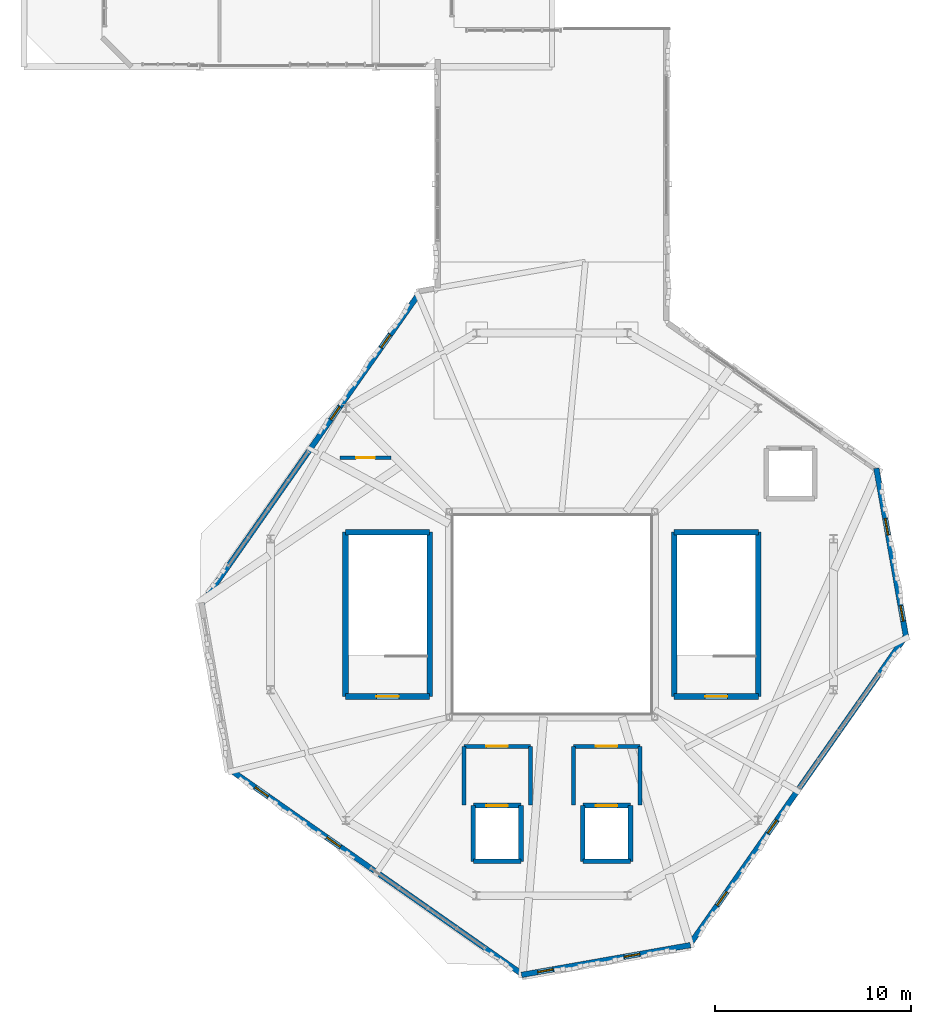
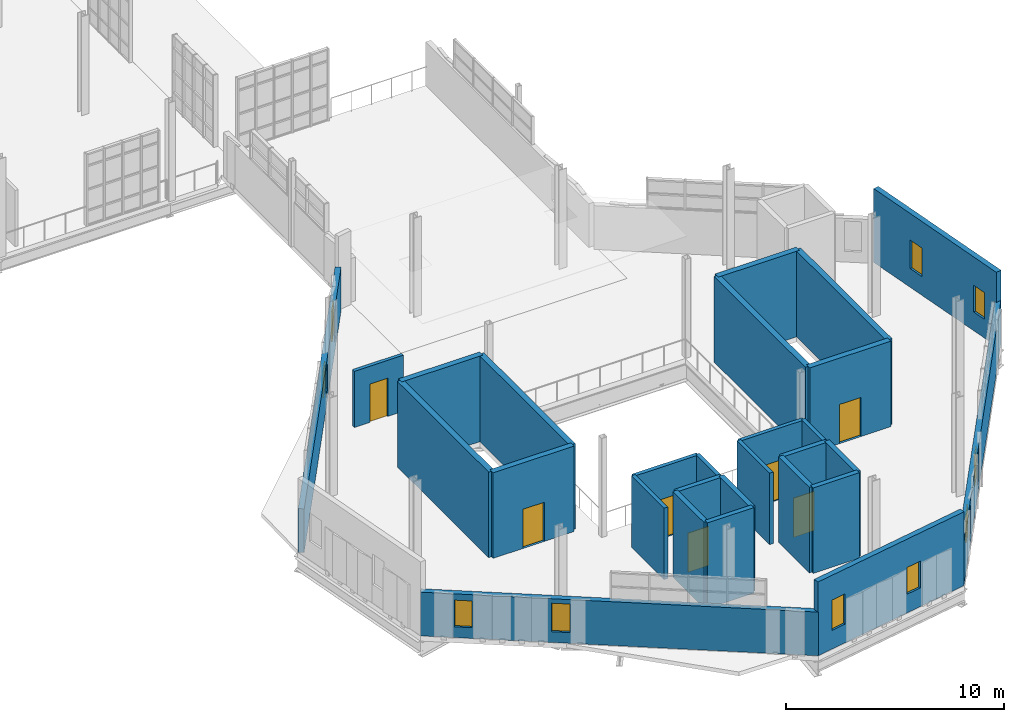
# One storey, part 32 of 36: 28 walls, 10 windows, 7 doors, 17 openings.
"""IFC4 building model written with IfcOpenShell, lengths in metres."""

from ifc_helpers import new_model, si_unit, direction, frame, frame_2d, origin, place, context, subcontext, project, spatial, rectangle, extrude, material, layer, layer_set, type_object, element, fill, save


model = new_model("IFC4")

# Units and contexts
model_context = context("Model", 3, precision=1e-05, world=origin(), true_north=direction((0.0, 1.0)))
body_context = subcontext(model_context, "Body", "Model", "MODEL_VIEW")
ifc_project = project(units=[si_unit("LENGTHUNIT", "METRE"), si_unit("AREAUNIT", "SQUARE_METRE"), si_unit("VOLUMEUNIT", "CUBIC_METRE"), si_unit("PLANEANGLEUNIT", "RADIAN"), si_unit("MASSUNIT", "GRAM", prefix="KILO"), si_unit("THERMODYNAMICTEMPERATUREUNIT", "KELVIN"), si_unit("POWERUNIT", "WATT")], contexts=[model_context])

# Site, building, storey
site_placement = place(None, origin())
site = spatial("IfcSite", under=ifc_project, at=site_placement, CompositionType="ELEMENT")
building_placement = place(site_placement, origin())
building = spatial("IfcBuilding", under=site, at=building_placement, Name="Zelmaris Science Centre", CompositionType="ELEMENT")
storey_placement = place(building_placement, frame((0.0, 0.0, 25.199951171875)))
storey = spatial("IfcBuildingStorey", under=building, at=storey_placement, Name="L05", CompositionType="ELEMENT", Elevation=25.199951171875)

# Wall, opening, door
ifc_material_1 = material(Name="Concrete C40/50", Category="concrete")
ifc_layer_1 = layer(ifc_material_1, 0.300048828125, Name="Concrete C40/50")
ifc_layer_set_1 = layer_set([ifc_layer_1], Name="Concrete C40/50")
wall_type_1 = type_object("IfcWallType", Name="Core Shear Wall CW-S1 300mm", PredefinedType="SOLIDWALL", material=ifc_layer_set_1)
wall_1_placement = place(storey_placement, frame((74.75, 31.800048828125, 0.0), z_axis=(0.0, 0.0, 1.0), x_axis=(-1.0, 0.0, 0.0)))
wall_1 = element("IfcWall", 1, at=wall_1_placement, inside=storey, type_object=wall_type_1, Name="L05 ST-1 core shear wall near", PredefinedType="SOLIDWALL", context=body_context, shape_type="SweptSolid", body=[
    extrude(rectangle(XDim=4.300048828125, YDim=0.300048828125, at=frame_2d((2.14990234375, 0.0))), origin(), (0.0, 0.0, 1.0), 4.800048828125),
])
opening_1_placement = place(wall_1_placement, frame((1.574951171875, 0.0, 0.0)))
opening_1 = element("IfcOpeningElement", 2, at=opening_1_placement, cuts=wall_1, Name="Opening D-FD90", PredefinedType="OPENING", context=body_context, shape_type="SweptSolid", body=[
    extrude(rectangle(XDim=1.14990234375, YDim=2.199951171875, at=frame_2d((0.574951171875, 1.10009765625))), frame((0.0, 0.159912109375, 0.0), z_axis=(0.0, -1.0, 0.0), x_axis=(1.0, 0.0, 0.0)), (0.0, 0.0, 1.0), 0.320068359375),
])
ifc_material_2 = material(Name="Steel ASTM A36", Category="steel")
door_type_1 = type_object("IfcDoorType", Name="Interior Door D-FD90 1150x2200", OperationType="NOTDEFINED", PredefinedType="DOOR", material=ifc_material_2)
door_1_placement = place(opening_1_placement, origin())
door_1 = element("IfcDoor", 3, at=door_1_placement, inside=storey, type_object=door_type_1, Name="L05 ST-1 exit stair fire door", OperationType="SINGLE_SWING_LEFT", OverallHeight=2.199951171875, OverallWidth=1.14990234375, PredefinedType="DOOR", context=body_context, shape_type="SweptSolid", body=[
    extrude(rectangle(XDim=1.14990234375, YDim=2.199951171875, at=frame_2d((0.574951171875, 1.10009765625))), frame((0.0, 0.02490234375, 0.0), z_axis=(0.0, -1.0, 0.0), x_axis=(1.0, 0.0, 0.0)), (0.0, 0.0, 1.0), 0.050048828125),
])
fill(opening_1, door_1)

# Walls
wall_2_placement = place(storey_placement, frame((74.75, 31.800048828125, 0.0), z_axis=(0.0, 0.0, 1.0), x_axis=(0.0, 1.0, 0.0)))
element("IfcWall", 4, at=wall_2_placement, inside=storey, type_object=wall_type_1, Name="L05 ST-1 core shear wall east", PredefinedType="SOLIDWALL", context=body_context, shape_type="SweptSolid", body=[
    extrude(rectangle(XDim=8.39990234375, YDim=0.300048828125, at=frame_2d((4.199951171875, 0.0))), origin(), (0.0, 0.0, 1.0), 4.800048828125),
])
wall_3_placement = place(storey_placement, frame((74.75, 40.199951171875, 0.0), z_axis=(0.0, 0.0, 1.0), x_axis=(-1.0, 0.0, 0.0)))
element("IfcWall", 5, at=wall_3_placement, inside=storey, type_object=wall_type_1, Name="L05 ST-1 core shear wall far", PredefinedType="SOLIDWALL", context=body_context, shape_type="SweptSolid", body=[
    extrude(rectangle(XDim=4.300048828125, YDim=0.300048828125, at=frame_2d((2.14990234375, 0.0))), origin(), (0.0, 0.0, 1.0), 4.800048828125),
])
wall_4_placement = place(storey_placement, frame((70.449951171875, 31.800048828125, 0.0), z_axis=(0.0, 0.0, 1.0), x_axis=(0.0, 1.0, 0.0)))
element("IfcWall", 6, at=wall_4_placement, inside=storey, type_object=wall_type_1, Name="L05 ST-1 core shear wall west", PredefinedType="SOLIDWALL", context=body_context, shape_type="SweptSolid", body=[
    extrude(rectangle(XDim=8.39990234375, YDim=0.300048828125, at=frame_2d((4.199951171875, 0.0))), origin(), (0.0, 0.0, 1.0), 4.800048828125),
])

# Wall, opening, door
wall_5_placement = place(storey_placement, frame((91.550048828125, 31.800048828125, 0.0), z_axis=(0.0, 0.0, 1.0), x_axis=(-1.0, 0.0, 0.0)))
wall_5 = element("IfcWall", 7, at=wall_5_placement, inside=storey, type_object=wall_type_1, Name="L05 ST-2 core shear wall near", PredefinedType="SOLIDWALL", context=body_context, shape_type="SweptSolid", body=[
    extrude(rectangle(XDim=4.300048828125, YDim=0.300048828125, at=frame_2d((2.14990234375, 0.0))), origin(), (0.0, 0.0, 1.0), 4.800048828125),
])
opening_2_placement = place(wall_5_placement, frame((1.574951171875, 0.0, 0.0)))
opening_2 = element("IfcOpeningElement", 8, at=opening_2_placement, cuts=wall_5, Name="Opening D-FD90", PredefinedType="OPENING", context=body_context, shape_type="SweptSolid", body=[
    extrude(rectangle(XDim=1.14990234375, YDim=2.199951171875, at=frame_2d((0.574951171875, 1.10009765625))), frame((0.0, 0.159912109375, 0.0), z_axis=(0.0, -1.0, 0.0), x_axis=(1.0, 0.0, 0.0)), (0.0, 0.0, 1.0), 0.320068359375),
])
door_2_placement = place(opening_2_placement, origin())
door_2 = element("IfcDoor", 9, at=door_2_placement, inside=storey, type_object=door_type_1, Name="L05 ST-2 exit stair fire door", OperationType="SINGLE_SWING_RIGHT", OverallHeight=2.199951171875, OverallWidth=1.14990234375, PredefinedType="DOOR", context=body_context, shape_type="SweptSolid", body=[
    extrude(rectangle(XDim=1.14990234375, YDim=2.199951171875, at=frame_2d((0.574951171875, 1.10009765625))), frame((0.0, 0.02490234375, 0.0), z_axis=(0.0, -1.0, 0.0), x_axis=(1.0, 0.0, 0.0)), (0.0, 0.0, 1.0), 0.050048828125),
])
fill(opening_2, door_2)

# Walls
wall_6_placement = place(storey_placement, frame((91.550048828125, 31.800048828125, 0.0), z_axis=(0.0, 0.0, 1.0), x_axis=(0.0, 1.0, 0.0)))
element("IfcWall", 10, at=wall_6_placement, inside=storey, type_object=wall_type_1, Name="L05 ST-2 core shear wall east", PredefinedType="SOLIDWALL", context=body_context, shape_type="SweptSolid", body=[
    extrude(rectangle(XDim=8.39990234375, YDim=0.300048828125, at=frame_2d((4.199951171875, 0.0))), origin(), (0.0, 0.0, 1.0), 4.800048828125),
])
wall_7_placement = place(storey_placement, frame((91.550048828125, 40.199951171875, 0.0), z_axis=(0.0, 0.0, 1.0), x_axis=(-1.0, 0.0, 0.0)))
element("IfcWall", 11, at=wall_7_placement, inside=storey, type_object=wall_type_1, Name="L05 ST-2 core shear wall far", PredefinedType="SOLIDWALL", context=body_context, shape_type="SweptSolid", body=[
    extrude(rectangle(XDim=4.300048828125, YDim=0.300048828125, at=frame_2d((2.14990234375, 0.0))), origin(), (0.0, 0.0, 1.0), 4.800048828125),
])
wall_8_placement = place(storey_placement, frame((87.25, 31.800048828125, 0.0), z_axis=(0.0, 0.0, 1.0), x_axis=(0.0, 1.0, 0.0)))
element("IfcWall", 12, at=wall_8_placement, inside=storey, type_object=wall_type_1, Name="L05 ST-2 core shear wall west", PredefinedType="SOLIDWALL", context=body_context, shape_type="SweptSolid", body=[
    extrude(rectangle(XDim=8.39990234375, YDim=0.300048828125, at=frame_2d((4.199951171875, 0.0))), origin(), (0.0, 0.0, 1.0), 4.800048828125),
])
ifc_layer_2 = layer(ifc_material_1, 0.25, Name="Concrete C40/50")
ifc_layer_set_2 = layer_set([ifc_layer_2], Name="Concrete C40/50")
wall_type_2 = type_object("IfcWallType", Name="Core Shear Wall CW-S2 250mm", PredefinedType="SOLIDWALL", material=ifc_layer_set_2)
wall_9_placement = place(storey_placement, frame((76.97509765625, 23.375, 0.0), z_axis=(0.0, 0.0, 1.0), x_axis=(1.0, 0.0, 0.0)))
element("IfcWall", 13, at=wall_9_placement, inside=storey, type_object=wall_type_2, Name="L05 FL-01 lift shaft wall -y", PredefinedType="SOLIDWALL", context=body_context, shape_type="SweptSolid", body=[
    extrude(rectangle(XDim=2.449951171875, YDim=0.25, at=frame_2d((1.22509765625, 0.0))), origin(), (0.0, 0.0, 1.0), 4.800048828125),
])
wall_10_placement = place(storey_placement, frame((79.425048828125, 23.375, 0.0), z_axis=(0.0, 0.0, 1.0), x_axis=(0.0, 1.0, 0.0)))
element("IfcWall", 14, at=wall_10_placement, inside=storey, type_object=wall_type_2, Name="L05 FL-01 lift shaft wall +x", PredefinedType="SOLIDWALL", context=body_context, shape_type="SweptSolid", body=[
    extrude(rectangle(XDim=2.85009765625, YDim=0.25, at=frame_2d((1.425048828125, 0.0))), origin(), (0.0, 0.0, 1.0), 4.800048828125),
])

# Wall, opening, door
wall_11_placement = place(storey_placement, frame((79.425048828125, 26.22509765625, 0.0), z_axis=(0.0, 0.0, 1.0), x_axis=(-1.0, 0.0, 0.0)))
wall_11 = element("IfcWall", 15, at=wall_11_placement, inside=storey, type_object=wall_type_2, Name="L05 FL-01 lift shaft wall +y", PredefinedType="SOLIDWALL", context=body_context, shape_type="SweptSolid", body=[
    extrude(rectangle(XDim=2.449951171875, YDim=0.25, at=frame_2d((1.22509765625, 0.0))), origin(), (0.0, 0.0, 1.0), 4.800048828125),
])
opening_3_placement = place(wall_11_placement, frame((0.675048828125, 0.0, 0.0)))
opening_3 = element("IfcOpeningElement", 16, at=opening_3_placement, cuts=wall_11, Name="Opening LD-01", PredefinedType="OPENING", context=body_context, shape_type="SweptSolid", body=[
    extrude(rectangle(XDim=1.10009765625, YDim=2.199951171875, at=frame_2d((0.550048828125, 1.10009765625))), frame((0.0, 0.135009765625, 0.0), z_axis=(0.0, -1.0, 0.0), x_axis=(1.0, 0.0, 0.0)), (0.0, 0.0, 1.0), 0.27001953125),
])
door_type_2 = type_object("IfcDoorType", Name="Interior Door LD-01 1100x2200", OperationType="SLIDING_TO_LEFT", PredefinedType="DOOR", material=ifc_material_2)
door_3_placement = place(opening_3_placement, origin())
door_3 = element("IfcDoor", 17, at=door_3_placement, inside=storey, type_object=door_type_2, Name="Landing door LD-FL-01-L05", OperationType="SLIDING_TO_LEFT", OverallHeight=2.199951171875, OverallWidth=1.10009765625, PredefinedType="DOOR", context=body_context, shape_type="SweptSolid", body=[
    extrude(rectangle(XDim=1.10009765625, YDim=2.199951171875, at=frame_2d((0.550048828125, 1.10009765625))), frame((0.0, 0.02490234375, 0.0), z_axis=(0.0, -1.0, 0.0), x_axis=(1.0, 0.0, 0.0)), (0.0, 0.0, 1.0), 0.050048828125),
])
fill(opening_3, door_3)

# Walls
wall_12_placement = place(storey_placement, frame((76.97509765625, 26.22509765625, 0.0), z_axis=(0.0, 0.0, 1.0), x_axis=(0.0, -1.0, 0.0)))
element("IfcWall", 18, at=wall_12_placement, inside=storey, type_object=wall_type_2, Name="L05 FL-01 lift shaft wall -x", PredefinedType="SOLIDWALL", context=body_context, shape_type="SweptSolid", body=[
    extrude(rectangle(XDim=2.85009765625, YDim=0.25, at=frame_2d((1.425048828125, 0.0))), origin(), (0.0, 0.0, 1.0), 4.800048828125),
])
wall_13_placement = place(storey_placement, frame((82.574951171875, 23.375, 0.0), z_axis=(0.0, 0.0, 1.0), x_axis=(1.0, 0.0, 0.0)))
element("IfcWall", 19, at=wall_13_placement, inside=storey, type_object=wall_type_2, Name="L05 FL-02 lift shaft wall -y", PredefinedType="SOLIDWALL", context=body_context, shape_type="SweptSolid", body=[
    extrude(rectangle(XDim=2.449951171875, YDim=0.25, at=frame_2d((1.22509765625, 0.0))), origin(), (0.0, 0.0, 1.0), 4.800048828125),
])
wall_14_placement = place(storey_placement, frame((85.02490234375, 23.375, 0.0), z_axis=(0.0, 0.0, 1.0), x_axis=(0.0, 1.0, 0.0)))
element("IfcWall", 20, at=wall_14_placement, inside=storey, type_object=wall_type_2, Name="L05 FL-02 lift shaft wall +x", PredefinedType="SOLIDWALL", context=body_context, shape_type="SweptSolid", body=[
    extrude(rectangle(XDim=2.85009765625, YDim=0.25, at=frame_2d((1.425048828125, 0.0))), origin(), (0.0, 0.0, 1.0), 4.800048828125),
])

# Wall, opening, door
wall_15_placement = place(storey_placement, frame((85.02490234375, 26.22509765625, 0.0), z_axis=(0.0, 0.0, 1.0), x_axis=(-1.0, 0.0, 0.0)))
wall_15 = element("IfcWall", 21, at=wall_15_placement, inside=storey, type_object=wall_type_2, Name="L05 FL-02 lift shaft wall +y", PredefinedType="SOLIDWALL", context=body_context, shape_type="SweptSolid", body=[
    extrude(rectangle(XDim=2.449951171875, YDim=0.25, at=frame_2d((1.22509765625, 0.0))), origin(), (0.0, 0.0, 1.0), 4.800048828125),
])
opening_4_placement = place(wall_15_placement, frame((0.675048828125, 0.0, 0.0)))
opening_4 = element("IfcOpeningElement", 22, at=opening_4_placement, cuts=wall_15, Name="Opening LD-01", PredefinedType="OPENING", context=body_context, shape_type="SweptSolid", body=[
    extrude(rectangle(XDim=1.10009765625, YDim=2.199951171875, at=frame_2d((0.550048828125, 1.10009765625))), frame((0.0, 0.135009765625, 0.0), z_axis=(0.0, -1.0, 0.0), x_axis=(1.0, 0.0, 0.0)), (0.0, 0.0, 1.0), 0.27001953125),
])
door_4_placement = place(opening_4_placement, origin())
door_4 = element("IfcDoor", 23, at=door_4_placement, inside=storey, type_object=door_type_2, Name="Landing door LD-FL-02-L05", OperationType="SLIDING_TO_LEFT", OverallHeight=2.199951171875, OverallWidth=1.10009765625, PredefinedType="DOOR", context=body_context, shape_type="SweptSolid", body=[
    extrude(rectangle(XDim=1.10009765625, YDim=2.199951171875, at=frame_2d((0.550048828125, 1.10009765625))), frame((0.0, 0.02490234375, 0.0), z_axis=(0.0, -1.0, 0.0), x_axis=(1.0, 0.0, 0.0)), (0.0, 0.0, 1.0), 0.050048828125),
])
fill(opening_4, door_4)

# Wall
wall_16_placement = place(storey_placement, frame((82.574951171875, 26.22509765625, 0.0), z_axis=(0.0, 0.0, 1.0), x_axis=(0.0, -1.0, 0.0)))
element("IfcWall", 24, at=wall_16_placement, inside=storey, type_object=wall_type_2, Name="L05 FL-02 lift shaft wall -x", PredefinedType="SOLIDWALL", context=body_context, shape_type="SweptSolid", body=[
    extrude(rectangle(XDim=2.85009765625, YDim=0.25, at=frame_2d((1.425048828125, 0.0))), origin(), (0.0, 0.0, 1.0), 4.800048828125),
])

# Wall, openings, windows
ifc_material_3 = material(Name="Precast concrete C40/50", Category="concrete")
ifc_layer_3 = layer(ifc_material_3, 0.280029296875, Name="Precast concrete C40/50")
ifc_layer_set_3 = layer_set([ifc_layer_3], Name="Precast concrete C40/50")
wall_type_3 = type_object("IfcWallType", Name="Exterior Wall EW-05 280mm", PredefinedType="SOLIDWALL", material=ifc_layer_set_3)
wall_17_placement = place(storey_placement, frame((97.585205078125, 43.46923828125, 0.0), z_axis=(0.0, 0.0, 1.0), x_axis=(0.173639194339, -0.984809336973, 0.0)))
wall_17 = element("IfcWall", 25, at=wall_17_placement, inside=storey, type_object=wall_type_3, Name="L05 Exterior wall 156", PredefinedType="SOLIDWALL", context=body_context, shape_type="SweptSolid", body=[
    extrude(rectangle(XDim=8.76806640625, YDim=0.280029296875, at=frame_2d((4.384033203125, 0.0))), origin(), (0.0, 0.0, 1.0), 4.14013671875),
])
opening_5_placement = place(wall_17_placement, frame((2.60888671875, 0.0, 1.050048828125)))
opening_5 = element("IfcOpeningElement", 26, at=opening_5_placement, cuts=wall_17, Name="Opening W-TR3", PredefinedType="OPENING", context=body_context, shape_type="SweptSolid", body=[
    extrude(rectangle(XDim=0.85009765625, YDim=1.60009765625, at=frame_2d((0.425048828125, 0.800048828125))), frame((0.0, 0.14990234375, 0.0), z_axis=(0.0, -1.0, 0.0), x_axis=(1.0, 0.0, 0.0)), (0.0, 0.0, 1.0), 0.300048828125),
])
opening_6_placement = place(wall_17_placement, frame((7.134033203125, 0.0, 1.050048828125)))
opening_6 = element("IfcOpeningElement", 27, at=opening_6_placement, cuts=wall_17, Name="Opening W-TR1", PredefinedType="OPENING", context=body_context, shape_type="SweptSolid", body=[
    extrude(rectangle(XDim=0.800048828125, YDim=1.5, at=frame_2d((0.39990234375, 0.75))), frame((0.0, 0.14990234375, 0.0), z_axis=(0.0, -1.0, 0.0), x_axis=(1.0, 0.0, 0.0)), (0.0, 0.0, 1.0), 0.300048828125),
])
ifc_material_4 = material(Name="Laminated hurricane-rated low-E insulated glazing", Category="glass")
window_type_1 = type_object("IfcWindowType", Name="Window W-TR1 800x1500", PartitioningType="SINGLE_PANEL", PredefinedType="WINDOW", material=ifc_material_4)
window_1_placement = place(opening_6_placement, origin())
window_1 = element("IfcWindow", 28, at=window_1_placement, inside=storey, type_object=window_type_1, Name="L05 Triangular faceted window 109", OverallHeight=1.5, OverallWidth=0.800048828125, PartitioningType="SINGLE_PANEL", PredefinedType="WINDOW", context=body_context, shape_type="SweptSolid", body=[
    extrude(rectangle(XDim=0.800048828125, YDim=1.5, at=frame_2d((0.39990234375, 0.75))), frame((0.0, 0.030029296875, 0.0), z_axis=(0.0, -1.0, 0.0), x_axis=(1.0, 0.0, 0.0)), (0.0, 0.0, 1.0), 0.06005859375),
])
fill(opening_6, window_1)
window_type_2 = type_object("IfcWindowType", Name="Window W-TR3 850x1600", PartitioningType="SINGLE_PANEL", PredefinedType="WINDOW", material=ifc_material_4)
window_2_placement = place(opening_5_placement, origin())
window_2 = element("IfcWindow", 29, at=window_2_placement, inside=storey, type_object=window_type_2, Name="L05 Triangular faceted window 108", OverallHeight=1.60009765625, OverallWidth=0.85009765625, PartitioningType="SINGLE_PANEL", PredefinedType="WINDOW", context=body_context, shape_type="SweptSolid", body=[
    extrude(rectangle(XDim=0.85009765625, YDim=1.60009765625, at=frame_2d((0.425048828125, 0.800048828125))), frame((0.0, 0.030029296875, 0.0), z_axis=(0.0, -1.0, 0.0), x_axis=(1.0, 0.0, 0.0)), (0.0, 0.0, 1.0), 0.06005859375),
])
fill(opening_5, window_2)

wall_18_placement = place(storey_placement, frame((99.134033203125, 34.9541015625, 0.0), z_axis=(0.0, 0.0, 1.0), x_axis=(-0.573571854902, -0.819155252235, 0.0)))
wall_18 = element("IfcWall", 30, at=wall_18_placement, inside=storey, type_object=wall_type_3, Name="L05 Exterior wall 157", PredefinedType="SOLIDWALL", context=body_context, shape_type="SweptSolid", body=[
    extrude(rectangle(XDim=19.449951171875, YDim=0.280029296875, at=frame_2d((9.72509765625, 0.0))), origin(), (0.0, 0.0, 1.0), 2.449951171875),
])
opening_7_placement = place(wall_18_placement, frame((11.574951171875, 0.0, 0.60009765625)))
opening_7 = element("IfcOpeningElement", 31, at=opening_7_placement, cuts=wall_18, Name="Opening W-TR2", PredefinedType="OPENING", context=body_context, shape_type="SweptSolid", body=[
    extrude(rectangle(XDim=0.800048828125, YDim=1.699951171875, at=frame_2d((0.39990234375, 0.85009765625))), frame((0.0, 0.14990234375, 0.0), z_axis=(0.0, -1.0, 0.0), x_axis=(1.0, 0.0, 0.0)), (0.0, 0.0, 1.0), 0.300048828125),
])
opening_8_placement = place(wall_18_placement, frame((16.0498046875, 0.0, 0.60009765625)))
opening_8 = element("IfcOpeningElement", 32, at=opening_8_placement, cuts=wall_18, Name="Opening W-TR3", PredefinedType="OPENING", context=body_context, shape_type="SweptSolid", body=[
    extrude(rectangle(XDim=0.85009765625, YDim=1.60009765625, at=frame_2d((0.425048828125, 0.800048828125))), frame((0.0, 0.14990234375, 0.0), z_axis=(0.0, -1.0, 0.0), x_axis=(1.0, 0.0, 0.0)), (0.0, 0.0, 1.0), 0.300048828125),
])
window_type_3 = type_object("IfcWindowType", Name="Window W-TR2 800x1700", PartitioningType="SINGLE_PANEL", PredefinedType="WINDOW", material=ifc_material_4)
window_3_placement = place(opening_7_placement, origin())
window_3 = element("IfcWindow", 33, at=window_3_placement, inside=storey, type_object=window_type_3, Name="L05 Triangular faceted window 110", OverallHeight=1.699951171875, OverallWidth=0.800048828125, PartitioningType="SINGLE_PANEL", PredefinedType="WINDOW", context=body_context, shape_type="SweptSolid", body=[
    extrude(rectangle(XDim=0.800048828125, YDim=1.699951171875, at=frame_2d((0.39990234375, 0.85009765625))), frame((0.0, 0.030029296875, 0.0), z_axis=(0.0, -1.0, 0.0), x_axis=(1.0, 0.0, 0.0)), (0.0, 0.0, 1.0), 0.06005859375),
])
fill(opening_7, window_3)
window_4_placement = place(opening_8_placement, origin())
window_4 = element("IfcWindow", 34, at=window_4_placement, inside=storey, type_object=window_type_2, Name="L05 Triangular faceted window 111", OverallHeight=1.60009765625, OverallWidth=0.85009765625, PartitioningType="SINGLE_PANEL", PredefinedType="WINDOW", context=body_context, shape_type="SweptSolid", body=[
    extrude(rectangle(XDim=0.85009765625, YDim=1.60009765625, at=frame_2d((0.425048828125, 0.800048828125))), frame((0.0, 0.030029296875, 0.0), z_axis=(0.0, -1.0, 0.0), x_axis=(1.0, 0.0, 0.0)), (0.0, 0.0, 1.0), 0.06005859375),
])
fill(opening_8, window_4)

wall_19_placement = place(storey_placement, frame((88.081298828125, 19.08740234375, 0.0), z_axis=(0.0, 0.0, 1.0), x_axis=(-0.98480457515, -0.173666199254, 0.0)))
wall_19 = element("IfcWall", 35, at=wall_19_placement, inside=storey, type_object=wall_type_3, Name="L05 Exterior wall 158", PredefinedType="SOLIDWALL", context=body_context, shape_type="SweptSolid", body=[
    extrude(rectangle(XDim=8.76806640625, YDim=0.280029296875, at=frame_2d((4.384033203125, 0.0))), origin(), (0.0, 0.0, 1.0), 4.14013671875),
])
opening_9_placement = place(wall_19_placement, frame((2.634033203125, 0.0, 1.050048828125)))
opening_9 = element("IfcOpeningElement", 36, at=opening_9_placement, cuts=wall_19, Name="Opening W-TR1", PredefinedType="OPENING", context=body_context, shape_type="SweptSolid", body=[
    extrude(rectangle(XDim=0.800048828125, YDim=1.5, at=frame_2d((0.39990234375, 0.75))), frame((0.0, 0.14990234375, 0.0), z_axis=(0.0, -1.0, 0.0), x_axis=(1.0, 0.0, 0.0)), (0.0, 0.0, 1.0), 0.300048828125),
])
opening_10_placement = place(wall_19_placement, frame((7.134033203125, 0.0, 1.050048828125)))
opening_10 = element("IfcOpeningElement", 37, at=opening_10_placement, cuts=wall_19, Name="Opening W-TR2", PredefinedType="OPENING", context=body_context, shape_type="SweptSolid", body=[
    extrude(rectangle(XDim=0.800048828125, YDim=1.699951171875, at=frame_2d((0.39990234375, 0.85009765625))), frame((0.0, 0.14990234375, 0.0), z_axis=(0.0, -1.0, 0.0), x_axis=(1.0, 0.0, 0.0)), (0.0, 0.0, 1.0), 0.300048828125),
])
window_5_placement = place(opening_9_placement, origin())
window_5 = element("IfcWindow", 38, at=window_5_placement, inside=storey, type_object=window_type_1, Name="L05 Triangular faceted window 112", OverallHeight=1.5, OverallWidth=0.800048828125, PartitioningType="SINGLE_PANEL", PredefinedType="WINDOW", context=body_context, shape_type="SweptSolid", body=[
    extrude(rectangle(XDim=0.800048828125, YDim=1.5, at=frame_2d((0.39990234375, 0.75))), frame((0.0, 0.030029296875, 0.0), z_axis=(0.0, -1.0, 0.0), x_axis=(1.0, 0.0, 0.0)), (0.0, 0.0, 1.0), 0.06005859375),
])
fill(opening_9, window_5)
window_6_placement = place(opening_10_placement, origin())
window_6 = element("IfcWindow", 39, at=window_6_placement, inside=storey, type_object=window_type_3, Name="L05 Triangular faceted window 113", OverallHeight=1.699951171875, OverallWidth=0.800048828125, PartitioningType="SINGLE_PANEL", PredefinedType="WINDOW", context=body_context, shape_type="SweptSolid", body=[
    extrude(rectangle(XDim=0.800048828125, YDim=1.699951171875, at=frame_2d((0.39990234375, 0.85009765625))), frame((0.0, 0.030029296875, 0.0), z_axis=(0.0, -1.0, 0.0), x_axis=(1.0, 0.0, 0.0)), (0.0, 0.0, 1.0), 0.06005859375),
])
fill(opening_10, window_6)

wall_20_placement = place(storey_placement, frame((79.566162109375, 17.538330078125, 0.0), z_axis=(0.0, 0.0, 1.0), x_axis=(-0.819152531377, 0.573575740717, 0.0)))
wall_20 = element("IfcWall", 40, at=wall_20_placement, inside=storey, type_object=wall_type_3, Name="L05 Exterior wall 159", PredefinedType="SOLIDWALL", context=body_context, shape_type="SweptSolid", body=[
    extrude(rectangle(XDim=18.35009765625, YDim=0.280029296875, at=frame_2d((9.175048828125, 0.0))), origin(), (0.0, 0.0, 1.0), 2.449951171875),
])
opening_11_placement = place(wall_20_placement, frame((11.449951171875, 0.0, 0.60009765625)))
opening_11 = element("IfcOpeningElement", 41, at=opening_11_placement, cuts=wall_20, Name="Opening W-TR3", PredefinedType="OPENING", context=body_context, shape_type="SweptSolid", body=[
    extrude(rectangle(XDim=0.85009765625, YDim=1.60009765625, at=frame_2d((0.425048828125, 0.800048828125))), frame((0.0, 0.14990234375, 0.0), z_axis=(0.0, -1.0, 0.0), x_axis=(1.0, 0.0, 0.0)), (0.0, 0.0, 1.0), 0.300048828125),
])
opening_12_placement = place(wall_20_placement, frame((15.97509765625, 0.0, 0.60009765625)))
opening_12 = element("IfcOpeningElement", 42, at=opening_12_placement, cuts=wall_20, Name="Opening W-TR1", PredefinedType="OPENING", context=body_context, shape_type="SweptSolid", body=[
    extrude(rectangle(XDim=0.800048828125, YDim=1.5, at=frame_2d((0.39990234375, 0.75))), frame((0.0, 0.14990234375, 0.0), z_axis=(0.0, -1.0, 0.0), x_axis=(1.0, 0.0, 0.0)), (0.0, 0.0, 1.0), 0.300048828125),
])
window_7_placement = place(opening_12_placement, origin())
window_7 = element("IfcWindow", 43, at=window_7_placement, inside=storey, type_object=window_type_1, Name="L05 Triangular faceted window 115", OverallHeight=1.5, OverallWidth=0.800048828125, PartitioningType="SINGLE_PANEL", PredefinedType="WINDOW", context=body_context, shape_type="SweptSolid", body=[
    extrude(rectangle(XDim=0.800048828125, YDim=1.5, at=frame_2d((0.39990234375, 0.75))), frame((0.0, 0.030029296875, 0.0), z_axis=(0.0, -1.0, 0.0), x_axis=(1.0, 0.0, 0.0)), (0.0, 0.0, 1.0), 0.06005859375),
])
fill(opening_12, window_7)
window_8_placement = place(opening_11_placement, origin())
window_8 = element("IfcWindow", 44, at=window_8_placement, inside=storey, type_object=window_type_2, Name="L05 Triangular faceted window 114", OverallHeight=1.60009765625, OverallWidth=0.85009765625, PartitioningType="SINGLE_PANEL", PredefinedType="WINDOW", context=body_context, shape_type="SweptSolid", body=[
    extrude(rectangle(XDim=0.85009765625, YDim=1.60009765625, at=frame_2d((0.425048828125, 0.800048828125))), frame((0.0, 0.030029296875, 0.0), z_axis=(0.0, -1.0, 0.0), x_axis=(1.0, 0.0, 0.0)), (0.0, 0.0, 1.0), 0.06005859375),
])
fill(opening_11, window_8)

wall_21_placement = place(storey_placement, frame((63.05126953125, 36.475341796875, 0.0), z_axis=(0.0, 0.0, 1.0), x_axis=(0.573576074944, 0.819152297349, 0.0)))
wall_21 = element("IfcWall", 45, at=wall_21_placement, inside=storey, type_object=wall_type_3, Name="L05 Exterior wall 161", PredefinedType="SOLIDWALL", context=body_context, shape_type="SweptSolid", body=[
    extrude(rectangle(XDim=19.44873046875, YDim=0.280029296875, at=frame_2d((9.724365234375, 0.0))), origin(), (0.0, 0.0, 1.0), 2.449951171875),
])
opening_13_placement = place(wall_21_placement, frame((11.57421875, 0.0, 0.60009765625)))
opening_13 = element("IfcOpeningElement", 46, at=opening_13_placement, cuts=wall_21, Name="Opening W-TR1", PredefinedType="OPENING", context=body_context, shape_type="SweptSolid", body=[
    extrude(rectangle(XDim=0.800048828125, YDim=1.5, at=frame_2d((0.39990234375, 0.75))), frame((0.0, 0.14990234375, 0.0), z_axis=(0.0, -1.0, 0.0), x_axis=(1.0, 0.0, 0.0)), (0.0, 0.0, 1.0), 0.300048828125),
])
opening_14_placement = place(wall_21_placement, frame((16.07421875, 0.0, 0.60009765625)))
opening_14 = element("IfcOpeningElement", 47, at=opening_14_placement, cuts=wall_21, Name="Opening W-TR2", PredefinedType="OPENING", context=body_context, shape_type="SweptSolid", body=[
    extrude(rectangle(XDim=0.800048828125, YDim=1.699951171875, at=frame_2d((0.39990234375, 0.85009765625))), frame((0.0, 0.14990234375, 0.0), z_axis=(0.0, -1.0, 0.0), x_axis=(1.0, 0.0, 0.0)), (0.0, 0.0, 1.0), 0.300048828125),
])
window_9_placement = place(opening_13_placement, origin())
window_9 = element("IfcWindow", 48, at=window_9_placement, inside=storey, type_object=window_type_1, Name="L05 Triangular faceted window 118", OverallHeight=1.5, OverallWidth=0.800048828125, PartitioningType="SINGLE_PANEL", PredefinedType="WINDOW", context=body_context, shape_type="SweptSolid", body=[
    extrude(rectangle(XDim=0.800048828125, YDim=1.5, at=frame_2d((0.39990234375, 0.75))), frame((0.0, 0.030029296875, 0.0), z_axis=(0.0, -1.0, 0.0), x_axis=(1.0, 0.0, 0.0)), (0.0, 0.0, 1.0), 0.06005859375),
])
fill(opening_13, window_9)
window_10_placement = place(opening_14_placement, origin())
window_10 = element("IfcWindow", 49, at=window_10_placement, inside=storey, type_object=window_type_3, Name="L05 Triangular faceted window 119", OverallHeight=1.699951171875, OverallWidth=0.800048828125, PartitioningType="SINGLE_PANEL", PredefinedType="WINDOW", context=body_context, shape_type="SweptSolid", body=[
    extrude(rectangle(XDim=0.800048828125, YDim=1.699951171875, at=frame_2d((0.39990234375, 0.85009765625))), frame((0.0, 0.030029296875, 0.0), z_axis=(0.0, -1.0, 0.0), x_axis=(1.0, 0.0, 0.0)), (0.0, 0.0, 1.0), 0.06005859375),
])
fill(opening_14, window_10)

# Walls
ifc_material_5 = material(Name="Autoclaved aerated concrete blockwork", Category="masonry")
ifc_layer_4 = layer(ifc_material_5, 0.199951171875, Name="Autoclaved aerated concrete blockwork")
ifc_layer_set_4 = layer_set([ifc_layer_4], Name="Autoclaved aerated concrete blockwork")
wall_type_4 = type_object("IfcWallType", Name="Interior Wall FW-01 200mm", PredefinedType="SOLIDWALL", material=ifc_layer_set_4)
for number, where, z_axis, x_axis, name in (
    (50, (76.5, 26.25, 0.0), (0.0, 0.0, 1.0), (0.0, 1.0, 0.0), "L05 Firefighting Lobby FL-01 wall W"),
    (51, (79.89990234375, 26.25, 0.0), (0.0, 0.0, 1.0), (0.0, 1.0, 0.0), "L05 Firefighting Lobby FL-01 wall E"),
):
    element("IfcWall", number, at=place(storey_placement, frame(where, z_axis=z_axis, x_axis=x_axis)), inside=storey, type_object=wall_type_4, Name=name, PredefinedType="SOLIDWALL", context=body_context, shape_type="SweptSolid", body=[
        extrude(rectangle(XDim=3.0, YDim=0.199951171875, at=frame_2d((1.5, 0.0))), origin(), (0.0, 0.0, 1.0), 4.010009765625),
    ])

# Wall, opening, door
wall_22_placement = place(storey_placement, frame((76.5, 29.25, 0.0), z_axis=(0.0, 0.0, 1.0), x_axis=(1.0, 0.0, 0.0)))
wall_22 = element("IfcWall", 52, at=wall_22_placement, inside=storey, type_object=wall_type_4, Name="L05 Firefighting Lobby FL-01 wall N", PredefinedType="SOLIDWALL", context=body_context, shape_type="SweptSolid", body=[
    extrude(rectangle(XDim=3.39990234375, YDim=0.199951171875, at=frame_2d((1.699951171875, 0.0))), origin(), (0.0, 0.0, 1.0), 4.010009765625),
])
opening_15_placement = place(wall_22_placement, frame((1.14990234375, 0.0, 0.0)))
opening_15 = element("IfcOpeningElement", 53, at=opening_15_placement, cuts=wall_22, Name="Opening D-FD60", PredefinedType="OPENING", context=body_context, shape_type="SweptSolid", body=[
    extrude(rectangle(XDim=1.10009765625, YDim=2.199951171875, at=frame_2d((0.550048828125, 1.10009765625))), frame((0.0, 0.10986328125, 0.0), z_axis=(0.0, -1.0, 0.0), x_axis=(1.0, 0.0, 0.0)), (0.0, 0.0, 1.0), 0.219970703125),
])
door_type_3 = type_object("IfcDoorType", Name="Interior Door D-FD60 1100x2200", OperationType="NOTDEFINED", PredefinedType="DOOR", material=ifc_material_2)
door_5_placement = place(opening_15_placement, origin())
door_5 = element("IfcDoor", 54, at=door_5_placement, inside=storey, type_object=door_type_3, Name="L05 Firefighting Lobby FL-01 fire door", OperationType="SINGLE_SWING_LEFT", OverallHeight=2.199951171875, OverallWidth=1.10009765625, PredefinedType="DOOR", context=body_context, shape_type="SweptSolid", body=[
    extrude(rectangle(XDim=1.10009765625, YDim=2.199951171875, at=frame_2d((0.550048828125, 1.10009765625))), frame((0.0, 0.02490234375, 0.0), z_axis=(0.0, -1.0, 0.0), x_axis=(1.0, 0.0, 0.0)), (0.0, 0.0, 1.0), 0.050048828125),
])
fill(opening_15, door_5)

# Walls
for number, where, z_axis, x_axis, name in (
    (55, (82.10009765625, 26.25, 0.0), (0.0, 0.0, 1.0), (0.0, 1.0, 0.0), "L05 Firefighting Lobby FL-02 wall W"),
    (56, (85.5, 26.25, 0.0), (0.0, 0.0, 1.0), (0.0, 1.0, 0.0), "L05 Firefighting Lobby FL-02 wall E"),
):
    element("IfcWall", number, at=place(storey_placement, frame(where, z_axis=z_axis, x_axis=x_axis)), inside=storey, type_object=wall_type_4, Name=name, PredefinedType="SOLIDWALL", context=body_context, shape_type="SweptSolid", body=[
        extrude(rectangle(XDim=3.0, YDim=0.199951171875, at=frame_2d((1.5, 0.0))), origin(), (0.0, 0.0, 1.0), 4.010009765625),
    ])

# Wall, opening, door
wall_23_placement = place(storey_placement, frame((82.10009765625, 29.25, 0.0), z_axis=(0.0, 0.0, 1.0), x_axis=(1.0, 0.0, 0.0)))
wall_23 = element("IfcWall", 57, at=wall_23_placement, inside=storey, type_object=wall_type_4, Name="L05 Firefighting Lobby FL-02 wall N", PredefinedType="SOLIDWALL", context=body_context, shape_type="SweptSolid", body=[
    extrude(rectangle(XDim=3.39990234375, YDim=0.199951171875, at=frame_2d((1.699951171875, 0.0))), origin(), (0.0, 0.0, 1.0), 4.010009765625),
])
opening_16_placement = place(wall_23_placement, frame((1.14990234375, 0.0, 0.0)))
opening_16 = element("IfcOpeningElement", 58, at=opening_16_placement, cuts=wall_23, Name="Opening D-FD60", PredefinedType="OPENING", context=body_context, shape_type="SweptSolid", body=[
    extrude(rectangle(XDim=1.10009765625, YDim=2.199951171875, at=frame_2d((0.550048828125, 1.10009765625))), frame((0.0, 0.10986328125, 0.0), z_axis=(0.0, -1.0, 0.0), x_axis=(1.0, 0.0, 0.0)), (0.0, 0.0, 1.0), 0.219970703125),
])
door_6_placement = place(opening_16_placement, origin())
door_6 = element("IfcDoor", 59, at=door_6_placement, inside=storey, type_object=door_type_3, Name="L05 Firefighting Lobby FL-02 fire door", OperationType="SINGLE_SWING_RIGHT", OverallHeight=2.199951171875, OverallWidth=1.10009765625, PredefinedType="DOOR", context=body_context, shape_type="SweptSolid", body=[
    extrude(rectangle(XDim=1.10009765625, YDim=2.199951171875, at=frame_2d((0.550048828125, 1.10009765625))), frame((0.0, 0.02490234375, 0.0), z_axis=(0.0, -1.0, 0.0), x_axis=(1.0, 0.0, 0.0)), (0.0, 0.0, 1.0), 0.050048828125),
])
fill(opening_16, door_6)

ifc_layer_5 = layer(ifc_material_5, 0.179931640625, Name="Autoclaved aerated concrete blockwork")
ifc_layer_set_5 = layer_set([ifc_layer_5], Name="Autoclaved aerated concrete blockwork")
wall_type_5 = type_object("IfcWallType", Name="Interior Wall PT-04 180mm", PredefinedType="PARTITIONING", material=ifc_layer_set_5)
wall_24_placement = place(storey_placement, frame((72.7666015625, 44.0048828125, 0.0), z_axis=(0.0, 0.0, 1.0), x_axis=(-1.0, 0.0, 0.0)))
wall_24 = element("IfcWall", 60, at=wall_24_placement, inside=storey, type_object=wall_type_5, Name="L05 L05 Public and Accessible WC entrance partition 72", PredefinedType="PARTITIONING", context=body_context, shape_type="SweptSolid", body=[
    extrude(rectangle(XDim=2.599853515625, YDim=0.179931640625, at=frame_2d((1.2998046875, 0.0))), origin(), (0.0, 0.0, 1.0), 3.150146484375),
])
opening_17_placement = place(wall_24_placement, frame((0.824951171875, 0.0, 0.0)))
opening_17 = element("IfcOpeningElement", 61, at=opening_17_placement, cuts=wall_24, Name="Opening D-IN2", PredefinedType="OPENING", context=body_context, shape_type="SweptSolid", body=[
    extrude(rectangle(XDim=0.949951171875, YDim=2.14990234375, at=frame_2d((0.47509765625, 1.074951171875))), frame((0.0, 0.099853515625, 0.0), z_axis=(0.0, -1.0, 0.0), x_axis=(1.0, 0.0, 0.0)), (0.0, 0.0, 1.0), 0.199951171875),
])
ifc_material_6 = material(Name="Solid tropical tzalam hardwood", Category="wood")
door_type_4 = type_object("IfcDoorType", Name="Interior Door D-IN2 950x2150", OperationType="NOTDEFINED", PredefinedType="DOOR", material=ifc_material_6)
door_7_placement = place(opening_17_placement, origin())
door_7 = element("IfcDoor", 62, at=door_7_placement, inside=storey, type_object=door_type_4, Name="L05 L05 Public and Accessible WC door", OperationType="SINGLE_SWING_RIGHT", OverallHeight=2.14990234375, OverallWidth=0.949951171875, PredefinedType="DOOR", context=body_context, shape_type="SweptSolid", body=[
    extrude(rectangle(XDim=0.949951171875, YDim=2.14990234375, at=frame_2d((0.47509765625, 1.074951171875))), frame((0.0, 0.02490234375, 0.0), z_axis=(0.0, -1.0, 0.0), x_axis=(1.0, 0.0, 0.0)), (0.0, 0.0, 1.0), 0.050048828125),
])
fill(opening_17, door_7)

save(model, "model.ifc")
